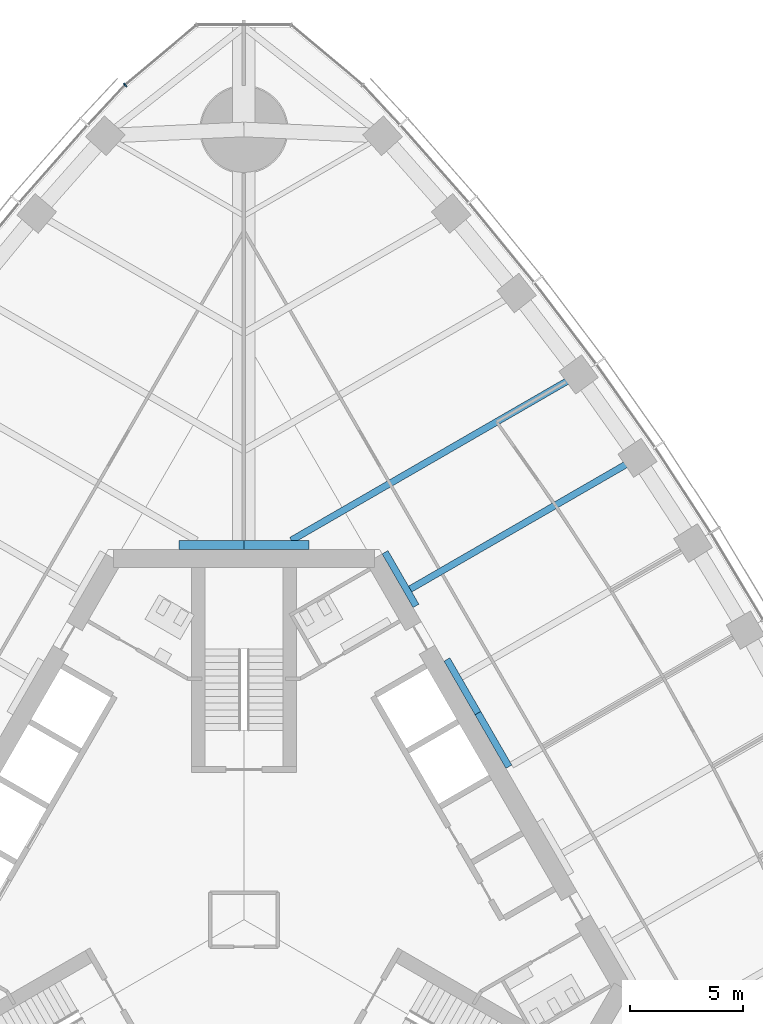
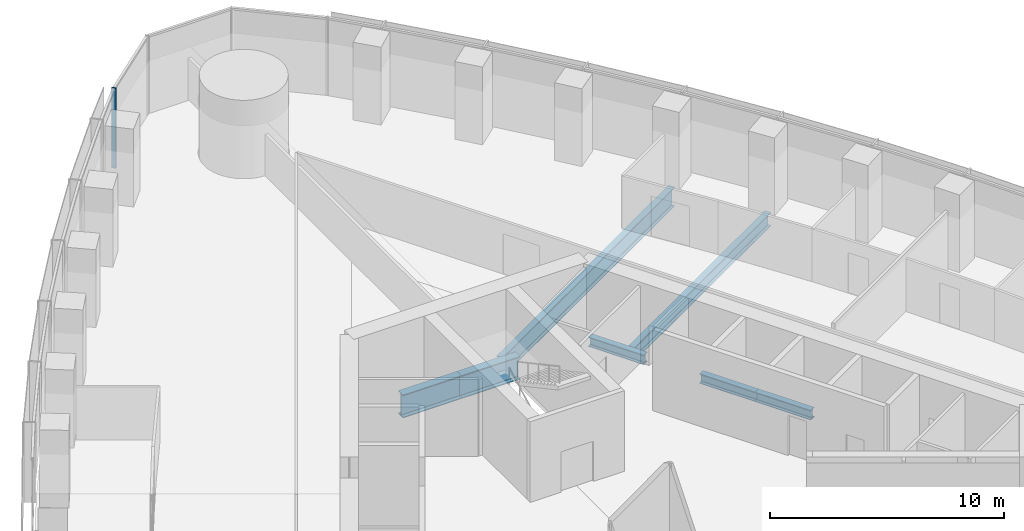
# One storey, part 5 of 21: 7 beams, 1 member, 1 element without a shape of its own.
"""IFC4 building model written with IfcOpenShell, lengths in metres."""

from ifc_helpers import new_model, si_unit, direction, frame, origin, origin_2d, place, context, subcontext, project, spatial, rectangle, i_section, extrude, material, material_profile, profile_set, type_object, element, aggregate, save


model = new_model("IFC4")

# Units and contexts
model_context = context("Model", 3, precision=1e-05, world=origin(), true_north=direction((0.0, 1.0)))
body_context = subcontext(model_context, "Body", "Model", "MODEL_VIEW")
ifc_project = project(units=[si_unit("LENGTHUNIT", "METRE"), si_unit("AREAUNIT", "SQUARE_METRE"), si_unit("VOLUMEUNIT", "CUBIC_METRE"), si_unit("PLANEANGLEUNIT", "RADIAN"), si_unit("MASSUNIT", "GRAM", prefix="KILO")], contexts=[model_context])

# Site, building, storey
site_placement = place(None, origin())
site = spatial("IfcSite", under=ifc_project, at=site_placement, CompositionType="ELEMENT")
building_placement = place(site_placement, origin())
building = spatial("IfcBuilding", under=site, at=building_placement, Name="Trefoil Bronze Tower", CompositionType="ELEMENT")
storey_placement = place(building_placement, frame((0.0, 0.0, 145.10009765625)))
storey = spatial("IfcBuildingStorey", under=building, at=storey_placement, Name="L33", CompositionType="ELEMENT", Elevation=145.10009765625)

# Curtain wall, member
ifc_material_1 = material(Name="Tinted solar-control glass", Category="glass")
curtain_wall_type = type_object("IfcCurtainWallType", Name="Bronze rounded corner curtain wall", PredefinedType="USERDEFINED", material=ifc_material_1)
curtain_wall_placement = place(storey_placement, origin())
curtain_wall = element("IfcCurtainWall", 1, at=curtain_wall_placement, inside=storey, type_object=curtain_wall_type, Name="CW-B L33 K2", ObjectType="CURTAIN WALL", PredefinedType="USERDEFINED")
ifc_material_2 = material(Name="Bronze-finish aluminium", Category="aluminium")
ifc_material_profile_1 = material_profile(ifc_material_2, rectangle(XDim=0.199951171875, YDim=0.06005859375, at=origin_2d()), Name="CW-B mullion")
ifc_profile_set_1 = profile_set([ifc_material_profile_1], Name="Bronze-finish aluminium")
member_type = type_object("IfcMemberType", Name="Bronze rounded corner curtain wall mullion", PredefinedType="MULLION", material=ifc_profile_set_1)
member_placement = place(storey_placement, frame((-5.260498046875, 36.975830078125, 0.0), z_axis=(0.0, 0.0, 1.0), x_axis=(0.642787609687, -0.766044443119, 0.0)))
member = element("IfcMember", 2, at=member_placement, type_object=member_type, Name="CW-B L33 K2 mullion 4", PredefinedType="MULLION", context=body_context, shape_type="SweptSolid", body=[
    extrude(rectangle(XDim=0.199951171875, YDim=0.06005859375, at=origin_2d()), origin(), (0.0, 0.0, 1.0), 4.179931640625),
])
aggregate(curtain_wall, [member])

# Beams
ifc_material_3 = material(Name="Steel C355", Category="steel")
ifc_material_profile_2 = material_profile(ifc_material_3, i_section(OverallWidth=0.300048828125, OverallDepth=0.5, WebThickness=0.014404296875, FlangeThickness=0.028076171875, FilletRadius=0.027099609375, at=origin_2d()), Name="HEB 500")
ifc_profile_set_2 = profile_set([ifc_material_profile_2], Name="Steel C355")
beam_type_1 = type_object("IfcBeamType", Name="Core seat beam HEB 500", PredefinedType="BEAM", material=ifc_profile_set_2)
for number, where, z_axis, x_axis, name in (
    (3, (11.734619140625, 6.77490234375, -0.4501953125), (-0.499969057507, 0.866043267704, 0.0), (-0.866043267704, -0.499969057507, 0.0), "Core seat beam F2/+0 L33"),
    (4, (10.363525390625, 9.14990234375, -0.4501953125), (-0.500035825175, 0.866004719122, 0.0), (-0.866004719122, -0.500035825175, 0.0), "Core seat beam F2/+1 L33"),
    (5, (7.62109375, 13.89990234375, -0.4501953125), (-0.500035825175, 0.866004719122, 0.0), (-0.866004719122, -0.500035825175, 0.0), "Core seat beam F2/+2 L33"),
):
    element("IfcBeam", number, at=place(storey_placement, frame(where, z_axis=z_axis, x_axis=x_axis)), inside=storey, type_object=beam_type_1, Name=name, PredefinedType="BEAM", context=body_context, shape_type="SweptSolid", body=[
        extrude(i_section(OverallWidth=0.300048828125, OverallDepth=0.5, WebThickness=0.014404296875, FlangeThickness=0.028076171875, FilletRadius=0.027099609375, at=origin_2d()), origin(), (0.0, 0.0, 1.0), 2.742431640625),
    ])
ifc_material_4 = material(Name="Steel C355", Category="steel")
ifc_material_profile_3 = material_profile(ifc_material_4, i_section(OverallWidth=0.39990234375, OverallDepth=1.199951171875, WebThickness=0.02001953125, FlangeThickness=0.0400390625, FilletRadius=0.010009765625, at=origin_2d()), Name="WPG 1200")
ifc_profile_set_3 = profile_set([ifc_material_profile_3], Name="Steel C355")
beam_type_2 = type_object("IfcBeamType", Name="Core seat beam WPG 1200", PredefinedType="BEAM", material=ifc_profile_set_3)
for number, where, z_axis, x_axis, name in (
    (6, (2.88671875, 16.60009765625, -0.800048828125), (-1.0, 0.0, 0.0), (0.0, -1.0, 0.0), "Core seat beam F2/+3 L33"),
    (7, (0.0, 16.60009765625, -0.800048828125), (-1.0, 0.0, 0.0), (0.0, -1.0, 0.0), "Core seat beam F3/-3 L33"),
):
    element("IfcBeam", number, at=place(storey_placement, frame(where, z_axis=z_axis, x_axis=x_axis)), inside=storey, type_object=beam_type_2, Name=name, PredefinedType="BEAM", context=body_context, shape_type="SweptSolid", body=[
        extrude(i_section(OverallWidth=0.39990234375, OverallDepth=1.199951171875, WebThickness=0.02001953125, FlangeThickness=0.0400390625, FilletRadius=0.010009765625, at=origin_2d()), origin(), (0.0, 0.0, 1.0), 2.88671875),
    ])
ifc_material_5 = material(Name="Steel C355", Category="steel")
ifc_material_profile_4 = material_profile(ifc_material_5, i_section(OverallWidth=0.300048828125, OverallDepth=1.0, WebThickness=0.01904296875, FlangeThickness=0.035888671875, FilletRadius=0.030029296875, at=origin_2d()), Name="HEB 1000")
ifc_profile_set_4 = profile_set([ifc_material_profile_4], Name="Steel C355")
beam_type_3 = type_object("IfcBeamType", Name="Floor beam HEB 1000", PredefinedType="BEAM", material=ifc_profile_set_4)
beam_1_placement = place(storey_placement, frame((14.825439453125, 24.14794921875, -0.7001953125), z_axis=(-0.866027342682, -0.499996641717, 0.0), x_axis=(0.499996641717, -0.866027342682, 0.0)))
element("IfcBeam", 8, at=beam_1_placement, inside=storey, type_object=beam_type_3, Name="Floor beam F2/+3 L33", PredefinedType="BEAM", context=body_context, shape_type="SweptSolid", body=[
    extrude(i_section(OverallWidth=0.300048828125, OverallDepth=1.0, WebThickness=0.01904296875, FlangeThickness=0.035888671875, FilletRadius=0.030029296875, at=origin_2d()), origin(), (0.0, 0.0, 1.0), 14.69580078125),
])
ifc_material_6 = material(Name="Steel C355", Category="steel")
ifc_material_profile_5 = material_profile(ifc_material_6, i_section(OverallWidth=0.300048828125, OverallDepth=0.699951171875, WebThickness=0.01708984375, FlangeThickness=0.031982421875, FilletRadius=0.027099609375, at=origin_2d()), Name="HEB 700")
ifc_profile_set_5 = profile_set([ifc_material_profile_5], Name="Steel C355")
beam_type_4 = type_object("IfcBeamType", Name="Floor beam HEB 700", PredefinedType="BEAM", material=ifc_profile_set_5)
beam_2_placement = place(storey_placement, frame((17.43017578125, 20.45556640625, -0.550048828125), z_axis=(-0.866030626868, -0.499990953245, 0.0), x_axis=(0.499990953245, -0.866030626868, 0.0)))
element("IfcBeam", 9, at=beam_2_placement, inside=storey, type_object=beam_type_4, Name="Floor beam F2/+2 L33", PredefinedType="BEAM", context=body_context, shape_type="SweptSolid", body=[
    extrude(i_section(OverallWidth=0.300048828125, OverallDepth=0.699951171875, WebThickness=0.01708984375, FlangeThickness=0.031982421875, FilletRadius=0.027099609375, at=origin_2d()), origin(), (0.0, 0.0, 1.0), 11.622802734375),
])

save(model, "model.ifc")
